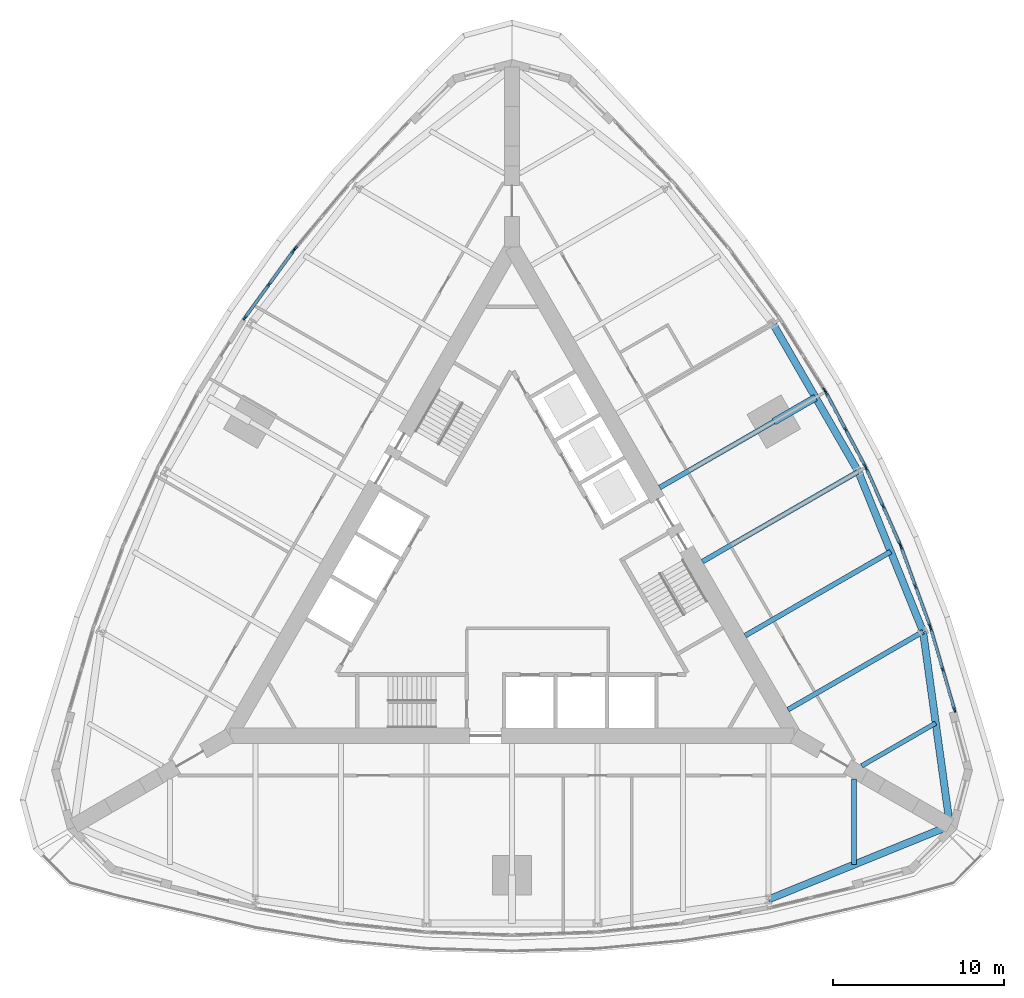
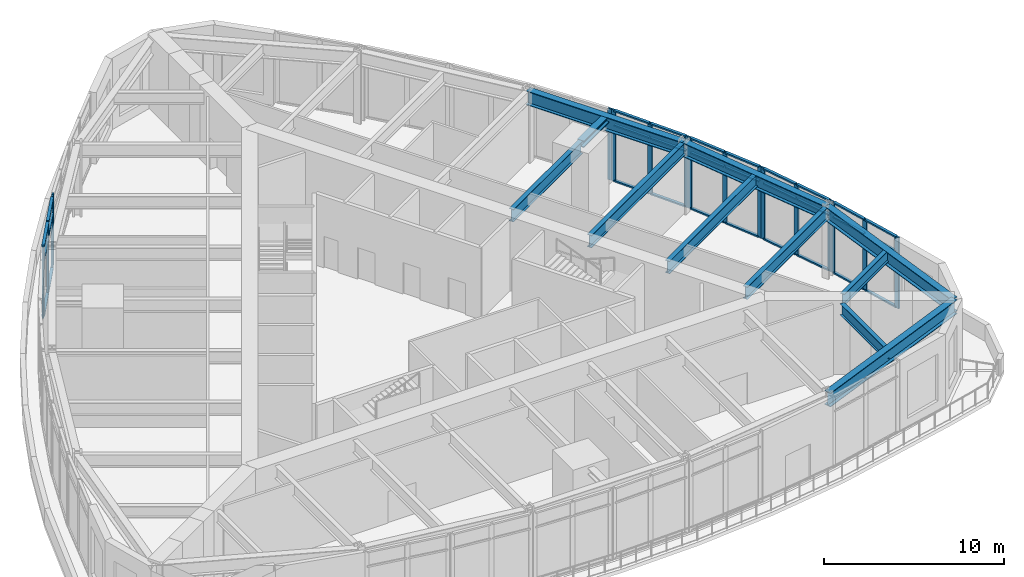
# One storey, part 4 of 14: 47 members, 11 beams, 7 elements without a shape of their own.
"""IFC4 building model written with IfcOpenShell, lengths in metres."""

from ifc_helpers import new_model, si_unit, direction, frame, origin, origin_2d, place, context, subcontext, project, spatial, rectangle, i_section, extrude, material, material_profile, profile_set, type_object, element, aggregate, save


model = new_model("IFC4")

# Units and contexts
model_context = context("Model", 3, precision=1e-05, world=origin(), true_north=direction((0.0, 1.0)))
body_context = subcontext(model_context, "Body", "Model", "MODEL_VIEW")
ifc_project = project(units=[si_unit("LENGTHUNIT", "METRE"), si_unit("AREAUNIT", "SQUARE_METRE"), si_unit("VOLUMEUNIT", "CUBIC_METRE"), si_unit("PLANEANGLEUNIT", "RADIAN"), si_unit("MASSUNIT", "GRAM", prefix="KILO")], contexts=[model_context])

# Site, building, storey
site_placement = place(None, origin())
site = spatial("IfcSite", under=ifc_project, at=site_placement, CompositionType="ELEMENT")
building_placement = place(site_placement, origin())
building = spatial("IfcBuilding", under=site, at=building_placement, Name="Trikona Tower", CompositionType="ELEMENT")
storey_placement = place(building_placement, frame((0.0, 0.0, 109.699951171875)))
storey = spatial("IfcBuildingStorey", under=building, at=storey_placement, Name="L28", CompositionType="ELEMENT", Elevation=109.699951171875)

# Curtain wall, members
ifc_material_1 = material(Name="Aluminium curtain wall system", Category="aluminium")
curtain_wall_type = type_object("IfcCurtainWallType", Name="Curtain wall SL", PredefinedType="NOTDEFINED", material=ifc_material_1)
curtain_wall_1_placement = place(storey_placement, origin())
curtain_wall_1 = element("IfcCurtainWall", 1, at=curtain_wall_1_placement, inside=storey, type_object=curtain_wall_type, Name="Curtain wall SL L28", PredefinedType="NOTDEFINED")
ifc_material_2 = material(Name="Aluminium mullion, pale anodised", Category="aluminium")
ifc_material_profile_1 = material_profile(ifc_material_2, rectangle(XDim=0.10009765625, YDim=0.300048828125, at=origin_2d()), Name="MUL-SL")
ifc_profile_set_1 = profile_set([ifc_material_profile_1], Name="Aluminium mullion, pale anodised")
member_type_1 = type_object("IfcMemberType", Name="Mullion SL 100x300", PredefinedType="MULLION", material=ifc_profile_set_1)
member_1_placement = place(storey_placement, frame((25.873291015625, -8.005126953125, 0.0), z_axis=(0.0, 0.0, 1.0), x_axis=(-0.960131547242, -0.2795485861, 0.0)))
member_1 = element("IfcMember", 2, at=member_1_placement, type_object=member_type_1, Name="CW-SL mullion 1", PredefinedType="MULLION", context=body_context, shape_type="SweptSolid", body=[
    extrude(rectangle(XDim=0.10009765625, YDim=0.300048828125, at=origin_2d()), origin(), (0.0, 0.0, 1.0), 4.8349609375),
])
member_2_placement = place(storey_placement, frame((25.1845703125, -5.6396484375, 0.0), z_axis=(0.0, 0.0, 1.0), x_axis=(-0.960131547242, -0.2795485861, 0.0)))
member_2 = element("IfcMember", 3, at=member_2_placement, type_object=member_type_1, Name="CW-SL mullion 2", PredefinedType="MULLION", context=body_context, shape_type="SweptSolid", body=[
    extrude(rectangle(XDim=0.10009765625, YDim=0.300048828125, at=origin_2d()), origin(), (0.0, 0.0, 1.0), 4.8349609375),
])
member_3_placement = place(storey_placement, frame((24.49560546875, -3.27392578125, 0.0), z_axis=(0.0, 0.0, 1.0), x_axis=(-0.960131547242, -0.2795485861, 0.0)))
member_3 = element("IfcMember", 4, at=member_3_placement, type_object=member_type_1, Name="CW-SL mullion 3", PredefinedType="MULLION", context=body_context, shape_type="SweptSolid", body=[
    extrude(rectangle(XDim=0.10009765625, YDim=0.300048828125, at=origin_2d()), origin(), (0.0, 0.0, 1.0), 4.8349609375),
])

curtain_wall_2_placement = place(storey_placement, origin())
curtain_wall_2 = element("IfcCurtainWall", 5, at=curtain_wall_2_placement, inside=storey, type_object=curtain_wall_type, Name="Curtain wall SL L28", PredefinedType="NOTDEFINED")
member_4_placement = place(storey_placement, frame((24.42919921875, -3.0712890625, 0.0), z_axis=(0.0, 0.0, 1.0), x_axis=(-0.939256167895, -0.343216915478, 0.0)))
member_4 = element("IfcMember", 6, at=member_4_placement, type_object=member_type_1, Name="CW-SL mullion 1", PredefinedType="MULLION", context=body_context, shape_type="SweptSolid", body=[
    extrude(rectangle(XDim=0.10009765625, YDim=0.300048828125, at=origin_2d()), origin(), (0.0, 0.0, 1.0), 4.8349609375),
])
member_5_placement = place(storey_placement, frame((23.595947265625, -0.790771484375, 0.0), z_axis=(0.0, 0.0, 1.0), x_axis=(-0.939256167895, -0.343216915478, 0.0)))
member_5 = element("IfcMember", 7, at=member_5_placement, type_object=member_type_1, Name="CW-SL mullion 2", PredefinedType="MULLION", context=body_context, shape_type="SweptSolid", body=[
    extrude(rectangle(XDim=0.10009765625, YDim=0.300048828125, at=origin_2d()), origin(), (0.0, 0.0, 1.0), 4.8349609375),
])
member_6_placement = place(storey_placement, frame((22.762451171875, 1.48974609375, 0.0), z_axis=(0.0, 0.0, 1.0), x_axis=(-0.939256167895, -0.343216915478, 0.0)))
member_6 = element("IfcMember", 8, at=member_6_placement, type_object=member_type_1, Name="CW-SL mullion 3", PredefinedType="MULLION", context=body_context, shape_type="SweptSolid", body=[
    extrude(rectangle(XDim=0.10009765625, YDim=0.300048828125, at=origin_2d()), origin(), (0.0, 0.0, 1.0), 4.8349609375),
])

curtain_wall_3_placement = place(storey_placement, origin())
curtain_wall_3 = element("IfcCurtainWall", 9, at=curtain_wall_3_placement, inside=storey, type_object=curtain_wall_type, Name="Curtain wall SL L28", PredefinedType="NOTDEFINED")
member_7_placement = place(storey_placement, frame((22.6826171875, 1.687255859375, 0.0), z_axis=(0.0, 0.0, 1.0), x_axis=(-0.913504581456, -0.406828440082, 0.0)))
member_7 = element("IfcMember", 10, at=member_7_placement, type_object=member_type_1, Name="CW-SL mullion 1", PredefinedType="MULLION", context=body_context, shape_type="SweptSolid", body=[
    extrude(rectangle(XDim=0.10009765625, YDim=0.300048828125, at=origin_2d()), origin(), (0.0, 0.0, 1.0), 4.8349609375),
])
member_8_placement = place(storey_placement, frame((21.70458984375, 3.883056640625, 0.0), z_axis=(0.0, 0.0, 1.0), x_axis=(-0.913504581456, -0.406828440082, 0.0)))
member_8 = element("IfcMember", 11, at=member_8_placement, type_object=member_type_1, Name="CW-SL mullion 2", PredefinedType="MULLION", context=body_context, shape_type="SweptSolid", body=[
    extrude(rectangle(XDim=0.10009765625, YDim=0.300048828125, at=origin_2d()), origin(), (0.0, 0.0, 1.0), 4.8349609375),
])
member_9_placement = place(storey_placement, frame((20.726806640625, 6.078857421875, 0.0), z_axis=(0.0, 0.0, 1.0), x_axis=(-0.913504581456, -0.406828440082, 0.0)))
member_9 = element("IfcMember", 12, at=member_9_placement, type_object=member_type_1, Name="CW-SL mullion 3", PredefinedType="MULLION", context=body_context, shape_type="SweptSolid", body=[
    extrude(rectangle(XDim=0.10009765625, YDim=0.300048828125, at=origin_2d()), origin(), (0.0, 0.0, 1.0), 4.8349609375),
])

curtain_wall_4_placement = place(storey_placement, origin())
curtain_wall_4 = element("IfcCurtainWall", 13, at=curtain_wall_4_placement, inside=storey, type_object=curtain_wall_type, Name="Curtain wall SL L28", PredefinedType="NOTDEFINED")
member_10_placement = place(storey_placement, frame((20.63330078125, 6.270263671875, 0.0), z_axis=(0.0, 0.0, 1.0), x_axis=(-0.882996107343, -0.469380308937, 0.0)))
member_10 = element("IfcMember", 14, at=member_10_placement, type_object=member_type_1, Name="CW-SL mullion 1", PredefinedType="MULLION", context=body_context, shape_type="SweptSolid", body=[
    extrude(rectangle(XDim=0.10009765625, YDim=0.300048828125, at=origin_2d()), origin(), (0.0, 0.0, 1.0), 4.8349609375),
])
member_11_placement = place(storey_placement, frame((19.5107421875, 8.3818359375, 0.0), z_axis=(0.0, 0.0, 1.0), x_axis=(-0.882996107343, -0.469380308937, 0.0)))
member_11 = element("IfcMember", 15, at=member_11_placement, type_object=member_type_1, Name="CW-SL mullion 2", PredefinedType="MULLION", context=body_context, shape_type="SweptSolid", body=[
    extrude(rectangle(XDim=0.10009765625, YDim=0.300048828125, at=origin_2d()), origin(), (0.0, 0.0, 1.0), 4.8349609375),
])
member_12_placement = place(storey_placement, frame((18.38818359375, 10.49365234375, 0.0), z_axis=(0.0, 0.0, 1.0), x_axis=(-0.882996107343, -0.469380308937, 0.0)))
member_12 = element("IfcMember", 16, at=member_12_placement, type_object=member_type_1, Name="CW-SL mullion 3", PredefinedType="MULLION", context=body_context, shape_type="SweptSolid", body=[
    extrude(rectangle(XDim=0.10009765625, YDim=0.300048828125, at=origin_2d()), origin(), (0.0, 0.0, 1.0), 4.8349609375),
])

# Curtain wall, member
curtain_wall_5_placement = place(storey_placement, origin())
curtain_wall_5 = element("IfcCurtainWall", 17, at=curtain_wall_5_placement, inside=storey, type_object=curtain_wall_type, Name="Curtain wall SL L28", PredefinedType="NOTDEFINED")
member_13_placement = place(storey_placement, frame((18.28173828125, 10.677978515625, 0.0), z_axis=(0.0, 0.0, 1.0), x_axis=(-0.847998304006, -0.529998940002, 0.0)))
member_13 = element("IfcMember", 18, at=member_13_placement, type_object=member_type_1, Name="CW-SL mullion 1", PredefinedType="MULLION", context=body_context, shape_type="SweptSolid", body=[
    extrude(rectangle(XDim=0.10009765625, YDim=0.300048828125, at=origin_2d()), origin(), (0.0, 0.0, 1.0), 4.8349609375),
])
aggregate(curtain_wall_5, [member_13])

curtain_wall_6_placement = place(storey_placement, origin())
curtain_wall_6 = element("IfcCurtainWall", 19, at=curtain_wall_6_placement, inside=storey, type_object=curtain_wall_type, Name="Curtain wall SL L28", PredefinedType="NOTDEFINED")
member_14_placement = place(storey_placement, frame((-12.67138671875, 18.968017578125, 0.0), z_axis=(0.0, 0.0, 1.0), x_axis=(0.766866678271, -0.641806433248, 0.0)))
member_14 = element("IfcMember", 20, at=member_14_placement, type_object=member_type_1, Name="CW-SL mullion 3", PredefinedType="MULLION", context=body_context, shape_type="SweptSolid", body=[
    extrude(rectangle(XDim=0.10009765625, YDim=0.300048828125, at=origin_2d()), origin(), (0.0, 0.0, 1.0), 4.8349609375),
])
aggregate(curtain_wall_6, [member_14])

# Curtain wall, members
curtain_wall_7_placement = place(storey_placement, origin())
curtain_wall_7 = element("IfcCurtainWall", 21, at=curtain_wall_7_placement, inside=storey, type_object=curtain_wall_type, Name="Curtain wall SL L28", PredefinedType="NOTDEFINED")
member_15_placement = place(storey_placement, frame((-12.802490234375, 18.800048828125, 0.0), z_axis=(0.0, 0.0, 1.0), x_axis=(0.809095452388, -0.587677248943, 0.0)))
member_15 = element("IfcMember", 22, at=member_15_placement, type_object=member_type_1, Name="CW-SL mullion 1", PredefinedType="MULLION", context=body_context, shape_type="SweptSolid", body=[
    extrude(rectangle(XDim=0.10009765625, YDim=0.300048828125, at=origin_2d()), origin(), (0.0, 0.0, 1.0), 4.8349609375),
])
member_16_placement = place(storey_placement, frame((-14.215087890625, 16.855224609375, 0.0), z_axis=(0.0, 0.0, 1.0), x_axis=(0.809095452388, -0.587677248943, 0.0)))
member_16 = element("IfcMember", 23, at=member_16_placement, type_object=member_type_1, Name="CW-SL mullion 2", PredefinedType="MULLION", context=body_context, shape_type="SweptSolid", body=[
    extrude(rectangle(XDim=0.10009765625, YDim=0.300048828125, at=origin_2d()), origin(), (0.0, 0.0, 1.0), 4.8349609375),
])
member_17_placement = place(storey_placement, frame((-15.627685546875, 14.910400390625, 0.0), z_axis=(0.0, 0.0, 1.0), x_axis=(0.809095452388, -0.587677248943, 0.0)))
member_17 = element("IfcMember", 24, at=member_17_placement, type_object=member_type_1, Name="CW-SL mullion 3", PredefinedType="MULLION", context=body_context, shape_type="SweptSolid", body=[
    extrude(rectangle(XDim=0.10009765625, YDim=0.300048828125, at=origin_2d()), origin(), (0.0, 0.0, 1.0), 4.8349609375),
])

# Beams
ifc_material_3 = material(Name="Steel ASTM A992 Grade 50", Category="steel")
ifc_material_profile_2 = material_profile(ifc_material_3, i_section(OverallWidth=0.419189453125, OverallDepth=0.45458984375, WebThickness=0.042236328125, FlangeThickness=0.067626953125, at=origin_2d()), Name="W14X370")
ifc_profile_set_2 = profile_set([ifc_material_profile_2], Name="Steel ASTM A992 Grade 50")
beam_type_1 = type_object("IfcBeamType", Name="Steel beam W14x370 (apex bracket)", PredefinedType="BEAM", material=ifc_profile_set_2)
beam_1_placement = place(storey_placement, frame((15.311767578125, 8.84033203125, 4.607666015625), z_axis=(0.86605005072, 0.499957307824, 0.0), x_axis=(-0.499957307824, 0.86605005072, 0.0)))
element("IfcBeam", 25, at=beam_1_placement, inside=storey, type_object=beam_type_1, Name="Cantilever bracket L29 F2", PredefinedType="BEAM", context=body_context, shape_type="SweptSolid", body=[
    extrude(i_section(OverallWidth=0.419189453125, OverallDepth=0.45458984375, WebThickness=0.042236328125, FlangeThickness=0.067626953125, at=origin_2d()), origin(), (0.0, 0.0, 1.0), 2.819580078125),
])
ifc_material_4 = material(Name="Steel ASTM A992 Grade 50", Category="steel")
ifc_material_profile_3 = material_profile(ifc_material_4, i_section(OverallWidth=0.2666015625, OverallDepth=0.76953125, WebThickness=0.015625, FlangeThickness=0.025390625, at=origin_2d()), Name="W30X132")
ifc_profile_set_3 = profile_set([ifc_material_profile_3], Name="Steel ASTM A992 Grade 50")
beam_type_2 = type_object("IfcBeamType", Name="Steel beam W30x132 (wedge)", PredefinedType="BEAM", material=ifc_profile_set_3)
beam_2_placement = place(storey_placement, frame((20.0, -12.066650390625, 4.4501953125), z_axis=(0.0, -1.0, 0.0), x_axis=(1.0, 0.0, 0.0)))
element("IfcBeam", 26, at=beam_2_placement, inside=storey, type_object=beam_type_2, Name="Floor beam L29 F1 u20", PredefinedType="BEAM", context=body_context, shape_type="SweptSolid", body=[
    extrude(i_section(OverallWidth=0.2666015625, OverallDepth=0.76953125, WebThickness=0.015625, FlangeThickness=0.025390625, at=origin_2d()), origin(), (0.0, 0.0, 1.0), 5.00048828125),
])
beam_3_placement = place(storey_placement, frame((20.449951171875, -11.287109375, 4.4501953125), z_axis=(0.866038434829, 0.49997742889, 0.0), x_axis=(-0.49997742889, 0.866038434829, 0.0)))
element("IfcBeam", 27, at=beam_3_placement, inside=storey, type_object=beam_type_2, Name="Floor beam L29 F2 u-20", PredefinedType="BEAM", context=body_context, shape_type="SweptSolid", body=[
    extrude(i_section(OverallWidth=0.2666015625, OverallDepth=0.76953125, WebThickness=0.015625, FlangeThickness=0.025390625, at=origin_2d()), origin(), (0.0, 0.0, 1.0), 5.000732421875),
])
ifc_material_5 = material(Name="Steel ASTM A992 Grade 50", Category="steel")
ifc_material_profile_4 = material_profile(ifc_material_5, i_section(OverallWidth=0.2919921875, OverallDepth=0.845703125, WebThickness=0.015380859375, FlangeThickness=0.0244140625, at=origin_2d()), Name="W33X141")
ifc_profile_set_4 = profile_set([ifc_material_profile_4], Name="Steel ASTM A992 Grade 50")
beam_type_3 = type_object("IfcBeamType", Name="Steel beam W33x141 (radial typ)", PredefinedType="BEAM", material=ifc_profile_set_4)
beam_4_placement = place(storey_placement, frame((16.1396484375, -8.002197265625, 4.412109375), z_axis=(0.866024725532, 0.500001174766, 0.0), x_axis=(-0.500001174766, 0.866024725532, 0.0)))
element("IfcBeam", 28, at=beam_4_placement, inside=storey, type_object=beam_type_3, Name="Floor beam L29 F2 u-15", PredefinedType="BEAM", context=body_context, shape_type="SweptSolid", body=[
    extrude(i_section(OverallWidth=0.2919921875, OverallDepth=0.845703125, WebThickness=0.015380859375, FlangeThickness=0.0244140625, at=origin_2d()), origin(), (0.0, 0.0, 1.0), 9.1240234375),
])
beam_5_placement = place(storey_placement, frame((13.6396484375, -3.672119140625, 4.412109375), z_axis=(0.866020046725, 0.500009278584, 0.0), x_axis=(-0.500009278584, 0.866020046725, 0.0)))
element("IfcBeam", 29, at=beam_5_placement, inside=storey, type_object=beam_type_3, Name="Floor beam L29 F2 u-10", PredefinedType="BEAM", context=body_context, shape_type="SweptSolid", body=[
    extrude(i_section(OverallWidth=0.2919921875, OverallDepth=0.845703125, WebThickness=0.015380859375, FlangeThickness=0.0244140625, at=origin_2d()), origin(), (0.0, 0.0, 1.0), 9.823974609375),
])
beam_6_placement = place(storey_placement, frame((11.1396484375, 0.657958984375, 4.412109375), z_axis=(0.866026035623, 0.499998905622, 0.0), x_axis=(-0.499998905622, 0.866026035623, 0.0)))
element("IfcBeam", 30, at=beam_6_placement, inside=storey, type_object=beam_type_3, Name="Floor beam L29 F2 u-5", PredefinedType="BEAM", context=body_context, shape_type="SweptSolid", body=[
    extrude(i_section(OverallWidth=0.2919921875, OverallDepth=0.845703125, WebThickness=0.015380859375, FlangeThickness=0.0244140625, at=origin_2d()), origin(), (0.0, 0.0, 1.0), 10.52392578125),
])
beam_7_placement = place(storey_placement, frame((8.6396484375, 4.988037109375, 4.412109375), z_axis=(0.866017246294, 0.500014128921, 0.0), x_axis=(-0.500014128921, 0.866017246294, 0.0)))
element("IfcBeam", 31, at=beam_7_placement, inside=storey, type_object=beam_type_3, Name="Floor beam L29 F2 u0", PredefinedType="BEAM", context=body_context, shape_type="SweptSolid", body=[
    extrude(i_section(OverallWidth=0.2919921875, OverallDepth=0.845703125, WebThickness=0.015380859375, FlangeThickness=0.0244140625, at=origin_2d()), origin(), (0.0, 0.0, 1.0), 7.704345703125),
])
ifc_material_6 = material(Name="Steel ASTM A992 Grade 50", Category="steel")
ifc_material_profile_5 = material_profile(ifc_material_6, i_section(OverallWidth=0.424072265625, OverallDepth=0.947509765625, WebThickness=0.02392578125, FlangeThickness=0.042724609375, at=origin_2d()), Name="W36X302")
ifc_profile_set_5 = profile_set([ifc_material_profile_5], Name="Steel ASTM A992 Grade 50")
beam_type_4 = type_object("IfcBeamType", Name="Steel beam W36x302 (spandrel)", PredefinedType="SPANDREL", material=ifc_profile_set_5)
for number, where, z_axis, x_axis, name in (
    (32, (15.0, -19.10009765625, 4.361328125), (0.926359695662, 0.376640032728, 0.0), (-0.376640032728, 0.926359695662, 0.0), "Spandrel beam L29 F1-5"),
    (33, (25.6103515625, -14.7861328125, 4.361328125), (-0.136991535842, 0.990572218017, 0.0), (-0.990572218017, -0.136991535842, 0.0), "Spandrel beam L29 F2-1"),
):
    element("IfcBeam", number, at=place(storey_placement, frame(where, z_axis=z_axis, x_axis=x_axis)), inside=storey, type_object=beam_type_4, Name=name, PredefinedType="SPANDREL", context=body_context, shape_type="SweptSolid", body=[
        extrude(i_section(OverallWidth=0.424072265625, OverallDepth=0.947509765625, WebThickness=0.02392578125, FlangeThickness=0.042724609375, at=origin_2d()), origin(), (0.0, 0.0, 1.0), 11.453857421875),
    ])
beam_8_placement = place(storey_placement, frame((24.041259765625, -3.440185546875, 4.361328125), z_axis=(-0.375106193787, 0.926981846307, 0.0), x_axis=(-0.926981846307, -0.375106193787, 0.0)))
element("IfcBeam", 34, at=beam_8_placement, inside=storey, type_object=beam_type_4, Name="Spandrel beam L29 F2-2", PredefinedType="SPANDREL", context=body_context, shape_type="SweptSolid", body=[
    extrude(i_section(OverallWidth=0.424072265625, OverallDepth=0.947509765625, WebThickness=0.02392578125, FlangeThickness=0.042724609375, at=origin_2d()), origin(), (0.0, 0.0, 1.0), 10.097412109375),
])
beam_9_placement = place(storey_placement, frame((20.253662109375, 5.919921875, 4.361328125), z_axis=(-0.500004234368, 0.866022959057, 0.0), x_axis=(-0.866022959057, -0.500004234368, 0.0)))
element("IfcBeam", 35, at=beam_9_placement, inside=storey, type_object=beam_type_4, Name="Spandrel beam L29 F2-3", PredefinedType="SPANDREL", context=body_context, shape_type="SweptSolid", body=[
    extrude(i_section(OverallWidth=0.424072265625, OverallDepth=0.947509765625, WebThickness=0.02392578125, FlangeThickness=0.042724609375, at=origin_2d()), origin(), (0.0, 0.0, 1.0), 10.0),
])

# Member
ifc_material_7 = material(Name="Aluminium transom, pale anodised", Category="aluminium")
ifc_material_profile_6 = material_profile(ifc_material_7, rectangle(XDim=0.179931640625, YDim=0.10009765625, at=origin_2d()), Name="TRN-SL")
ifc_profile_set_6 = profile_set([ifc_material_profile_6], Name="Aluminium transom, pale anodised")
member_type_2 = type_object("IfcMemberType", Name="Transom SL 100x180", PredefinedType="USERDEFINED", material=ifc_profile_set_6)
member_18_placement = place(storey_placement, frame((25.859130859375, -7.957275390625, 0.050048828125), z_axis=(-0.279464574213, 0.960156003866, 0.0), x_axis=(-0.960156003866, -0.279464574213, 0.0)))
member_18 = element("IfcMember", 36, at=member_18_placement, type_object=member_type_2, Name="CW-SL transom 1.1", ObjectType="TRANSOM", PredefinedType="USERDEFINED", context=body_context, shape_type="SweptSolid", body=[
    extrude(rectangle(XDim=0.179931640625, YDim=0.10009765625, at=origin_2d()), origin(), (0.0, 0.0, 1.0), 2.364013671875),
])

member_19_placement = place(storey_placement, frame((25.859130859375, -7.957275390625, 3.800048828125), z_axis=(-0.279464574213, 0.960156003866, 0.0), x_axis=(-0.960156003866, -0.279464574213, 0.0)))
member_19 = element("IfcMember", 37, at=member_19_placement, type_object=member_type_2, Name="CW-SL transom 1.2", ObjectType="TRANSOM", PredefinedType="USERDEFINED", context=body_context, shape_type="SweptSolid", body=[
    extrude(rectangle(XDim=0.179931640625, YDim=0.10009765625, at=origin_2d()), origin(), (0.0, 0.0, 1.0), 2.364013671875),
])

member_20_placement = place(storey_placement, frame((25.859130859375, -7.957275390625, 4.78515625), z_axis=(-0.279464574213, 0.960156003866, 0.0), x_axis=(-0.960156003866, -0.279464574213, 0.0)))
member_20 = element("IfcMember", 38, at=member_20_placement, type_object=member_type_2, Name="CW-SL transom 1.3", ObjectType="TRANSOM", PredefinedType="USERDEFINED", context=body_context, shape_type="SweptSolid", body=[
    extrude(rectangle(XDim=0.179931640625, YDim=0.10009765625, at=origin_2d()), origin(), (0.0, 0.0, 1.0), 2.364013671875),
])

member_21_placement = place(storey_placement, frame((25.17041015625, -5.591552734375, 0.050048828125), z_axis=(-0.279492288824, 0.960147936772, 0.0), x_axis=(-0.960147936772, -0.279492288824, 0.0)))
member_21 = element("IfcMember", 39, at=member_21_placement, type_object=member_type_2, Name="CW-SL transom 2.1", ObjectType="TRANSOM", PredefinedType="USERDEFINED", context=body_context, shape_type="SweptSolid", body=[
    extrude(rectangle(XDim=0.179931640625, YDim=0.10009765625, at=origin_2d()), origin(), (0.0, 0.0, 1.0), 2.36376953125),
])

member_22_placement = place(storey_placement, frame((25.17041015625, -5.591552734375, 3.800048828125), z_axis=(-0.279492288824, 0.960147936772, 0.0), x_axis=(-0.960147936772, -0.279492288824, 0.0)))
member_22 = element("IfcMember", 40, at=member_22_placement, type_object=member_type_2, Name="CW-SL transom 2.2", ObjectType="TRANSOM", PredefinedType="USERDEFINED", context=body_context, shape_type="SweptSolid", body=[
    extrude(rectangle(XDim=0.179931640625, YDim=0.10009765625, at=origin_2d()), origin(), (0.0, 0.0, 1.0), 2.36376953125),
])

member_23_placement = place(storey_placement, frame((25.17041015625, -5.591552734375, 4.78515625), z_axis=(-0.279492288824, 0.960147936772, 0.0), x_axis=(-0.960147936772, -0.279492288824, 0.0)))
member_23 = element("IfcMember", 41, at=member_23_placement, type_object=member_type_2, Name="CW-SL transom 2.3", ObjectType="TRANSOM", PredefinedType="USERDEFINED", context=body_context, shape_type="SweptSolid", body=[
    extrude(rectangle(XDim=0.179931640625, YDim=0.10009765625, at=origin_2d()), origin(), (0.0, 0.0, 1.0), 2.36376953125),
])

aggregate(curtain_wall_1, [member_1, member_2, member_3, member_18, member_19, member_20, member_21, member_22, member_23])

member_24_placement = place(storey_placement, frame((24.412109375, -3.0244140625, 0.050048828125), z_axis=(-0.343216080807, 0.939256472895, 0.0), x_axis=(-0.939256472895, -0.343216080807, 0.0)))
member_24 = element("IfcMember", 42, at=member_24_placement, type_object=member_type_2, Name="CW-SL transom 1.1", ObjectType="TRANSOM", PredefinedType="USERDEFINED", context=body_context, shape_type="SweptSolid", body=[
    extrude(rectangle(XDim=0.179931640625, YDim=0.10009765625, at=origin_2d()), origin(), (0.0, 0.0, 1.0), 2.328125),
])

member_25_placement = place(storey_placement, frame((24.412109375, -3.0244140625, 3.800048828125), z_axis=(-0.343216080807, 0.939256472895, 0.0), x_axis=(-0.939256472895, -0.343216080807, 0.0)))
member_25 = element("IfcMember", 43, at=member_25_placement, type_object=member_type_2, Name="CW-SL transom 1.2", ObjectType="TRANSOM", PredefinedType="USERDEFINED", context=body_context, shape_type="SweptSolid", body=[
    extrude(rectangle(XDim=0.179931640625, YDim=0.10009765625, at=origin_2d()), origin(), (0.0, 0.0, 1.0), 2.328125),
])

member_26_placement = place(storey_placement, frame((24.412109375, -3.0244140625, 4.78515625), z_axis=(-0.343216080807, 0.939256472895, 0.0), x_axis=(-0.939256472895, -0.343216080807, 0.0)))
member_26 = element("IfcMember", 44, at=member_26_placement, type_object=member_type_2, Name="CW-SL transom 1.3", ObjectType="TRANSOM", PredefinedType="USERDEFINED", context=body_context, shape_type="SweptSolid", body=[
    extrude(rectangle(XDim=0.179931640625, YDim=0.10009765625, at=origin_2d()), origin(), (0.0, 0.0, 1.0), 2.328125),
])

member_27_placement = place(storey_placement, frame((23.578857421875, -0.743896484375, 0.050048828125), z_axis=(-0.343216080807, 0.939256472895, 0.0), x_axis=(-0.939256472895, -0.343216080807, 0.0)))
member_27 = element("IfcMember", 45, at=member_27_placement, type_object=member_type_2, Name="CW-SL transom 2.1", ObjectType="TRANSOM", PredefinedType="USERDEFINED", context=body_context, shape_type="SweptSolid", body=[
    extrude(rectangle(XDim=0.179931640625, YDim=0.10009765625, at=origin_2d()), origin(), (0.0, 0.0, 1.0), 2.328125),
])

member_28_placement = place(storey_placement, frame((23.578857421875, -0.743896484375, 3.800048828125), z_axis=(-0.343216080807, 0.939256472895, 0.0), x_axis=(-0.939256472895, -0.343216080807, 0.0)))
member_28 = element("IfcMember", 46, at=member_28_placement, type_object=member_type_2, Name="CW-SL transom 2.2", ObjectType="TRANSOM", PredefinedType="USERDEFINED", context=body_context, shape_type="SweptSolid", body=[
    extrude(rectangle(XDim=0.179931640625, YDim=0.10009765625, at=origin_2d()), origin(), (0.0, 0.0, 1.0), 2.328125),
])

member_29_placement = place(storey_placement, frame((23.578857421875, -0.743896484375, 4.78515625), z_axis=(-0.343216080807, 0.939256472895, 0.0), x_axis=(-0.939256472895, -0.343216080807, 0.0)))
member_29 = element("IfcMember", 47, at=member_29_placement, type_object=member_type_2, Name="CW-SL transom 2.3", ObjectType="TRANSOM", PredefinedType="USERDEFINED", context=body_context, shape_type="SweptSolid", body=[
    extrude(rectangle(XDim=0.179931640625, YDim=0.10009765625, at=origin_2d()), origin(), (0.0, 0.0, 1.0), 2.328125),
])

aggregate(curtain_wall_2, [member_4, member_5, member_6, member_24, member_25, member_26, member_27, member_28, member_29])

member_30_placement = place(storey_placement, frame((22.662109375, 1.73291015625, 0.050048828125), z_axis=(-0.406748029, 0.913540388218, 0.0), x_axis=(-0.913540388218, -0.406748029, 0.0)))
member_30 = element("IfcMember", 48, at=member_30_placement, type_object=member_type_2, Name="CW-SL transom 1.1", ObjectType="TRANSOM", PredefinedType="USERDEFINED", context=body_context, shape_type="SweptSolid", body=[
    extrude(rectangle(XDim=0.179931640625, YDim=0.10009765625, at=origin_2d()), origin(), (0.0, 0.0, 1.0), 2.3037109375),
])

member_31_placement = place(storey_placement, frame((22.662109375, 1.73291015625, 3.800048828125), z_axis=(-0.406748029, 0.913540388218, 0.0), x_axis=(-0.913540388218, -0.406748029, 0.0)))
member_31 = element("IfcMember", 49, at=member_31_placement, type_object=member_type_2, Name="CW-SL transom 1.2", ObjectType="TRANSOM", PredefinedType="USERDEFINED", context=body_context, shape_type="SweptSolid", body=[
    extrude(rectangle(XDim=0.179931640625, YDim=0.10009765625, at=origin_2d()), origin(), (0.0, 0.0, 1.0), 2.3037109375),
])

member_32_placement = place(storey_placement, frame((22.662109375, 1.73291015625, 4.78515625), z_axis=(-0.406748029, 0.913540388218, 0.0), x_axis=(-0.913540388218, -0.406748029, 0.0)))
member_32 = element("IfcMember", 50, at=member_32_placement, type_object=member_type_2, Name="CW-SL transom 1.3", ObjectType="TRANSOM", PredefinedType="USERDEFINED", context=body_context, shape_type="SweptSolid", body=[
    extrude(rectangle(XDim=0.179931640625, YDim=0.10009765625, at=origin_2d()), origin(), (0.0, 0.0, 1.0), 2.3037109375),
])

member_33_placement = place(storey_placement, frame((21.684326171875, 3.9287109375, 0.050048828125), z_axis=(-0.406836468832, 0.913501005817, 0.0), x_axis=(-0.913501005817, -0.406836468832, 0.0)))
member_33 = element("IfcMember", 51, at=member_33_placement, type_object=member_type_2, Name="CW-SL transom 2.1", ObjectType="TRANSOM", PredefinedType="USERDEFINED", context=body_context, shape_type="SweptSolid", body=[
    extrude(rectangle(XDim=0.179931640625, YDim=0.10009765625, at=origin_2d()), origin(), (0.0, 0.0, 1.0), 2.3037109375),
])

member_34_placement = place(storey_placement, frame((21.684326171875, 3.9287109375, 3.800048828125), z_axis=(-0.406836468832, 0.913501005817, 0.0), x_axis=(-0.913501005817, -0.406836468832, 0.0)))
member_34 = element("IfcMember", 52, at=member_34_placement, type_object=member_type_2, Name="CW-SL transom 2.2", ObjectType="TRANSOM", PredefinedType="USERDEFINED", context=body_context, shape_type="SweptSolid", body=[
    extrude(rectangle(XDim=0.179931640625, YDim=0.10009765625, at=origin_2d()), origin(), (0.0, 0.0, 1.0), 2.3037109375),
])

member_35_placement = place(storey_placement, frame((21.684326171875, 3.9287109375, 4.78515625), z_axis=(-0.406836468832, 0.913501005817, 0.0), x_axis=(-0.913501005817, -0.406836468832, 0.0)))
member_35 = element("IfcMember", 53, at=member_35_placement, type_object=member_type_2, Name="CW-SL transom 2.3", ObjectType="TRANSOM", PredefinedType="USERDEFINED", context=body_context, shape_type="SweptSolid", body=[
    extrude(rectangle(XDim=0.179931640625, YDim=0.10009765625, at=origin_2d()), origin(), (0.0, 0.0, 1.0), 2.3037109375),
])

aggregate(curtain_wall_3, [member_7, member_8, member_9, member_30, member_31, member_32, member_33, member_34, member_35])

member_36_placement = place(storey_placement, frame((20.60986328125, 6.314208984375, 0.050048828125), z_axis=(-0.469404471075, 0.882983262885, 0.0), x_axis=(-0.882983262885, -0.469404471075, 0.0)))
member_36 = element("IfcMember", 54, at=member_36_placement, type_object=member_type_2, Name="CW-SL transom 1.1", ObjectType="TRANSOM", PredefinedType="USERDEFINED", context=body_context, shape_type="SweptSolid", body=[
    extrude(rectangle(XDim=0.179931640625, YDim=0.10009765625, at=origin_2d()), origin(), (0.0, 0.0, 1.0), 2.29150390625),
])

member_37_placement = place(storey_placement, frame((20.60986328125, 6.314208984375, 3.800048828125), z_axis=(-0.469404471075, 0.882983262885, 0.0), x_axis=(-0.882983262885, -0.469404471075, 0.0)))
member_37 = element("IfcMember", 55, at=member_37_placement, type_object=member_type_2, Name="CW-SL transom 1.2", ObjectType="TRANSOM", PredefinedType="USERDEFINED", context=body_context, shape_type="SweptSolid", body=[
    extrude(rectangle(XDim=0.179931640625, YDim=0.10009765625, at=origin_2d()), origin(), (0.0, 0.0, 1.0), 2.29150390625),
])

member_38_placement = place(storey_placement, frame((20.60986328125, 6.314208984375, 4.78515625), z_axis=(-0.469404471075, 0.882983262885, 0.0), x_axis=(-0.882983262885, -0.469404471075, 0.0)))
member_38 = element("IfcMember", 56, at=member_38_placement, type_object=member_type_2, Name="CW-SL transom 1.3", ObjectType="TRANSOM", PredefinedType="USERDEFINED", context=body_context, shape_type="SweptSolid", body=[
    extrude(rectangle(XDim=0.179931640625, YDim=0.10009765625, at=origin_2d()), origin(), (0.0, 0.0, 1.0), 2.29150390625),
])

member_39_placement = place(storey_placement, frame((19.4873046875, 8.426025390625, 0.050048828125), z_axis=(-0.469404471075, 0.882983262885, 0.0), x_axis=(-0.882983262885, -0.469404471075, 0.0)))
member_39 = element("IfcMember", 57, at=member_39_placement, type_object=member_type_2, Name="CW-SL transom 2.1", ObjectType="TRANSOM", PredefinedType="USERDEFINED", context=body_context, shape_type="SweptSolid", body=[
    extrude(rectangle(XDim=0.179931640625, YDim=0.10009765625, at=origin_2d()), origin(), (0.0, 0.0, 1.0), 2.29150390625),
])

member_40_placement = place(storey_placement, frame((19.4873046875, 8.426025390625, 3.800048828125), z_axis=(-0.469404471075, 0.882983262885, 0.0), x_axis=(-0.882983262885, -0.469404471075, 0.0)))
member_40 = element("IfcMember", 58, at=member_40_placement, type_object=member_type_2, Name="CW-SL transom 2.2", ObjectType="TRANSOM", PredefinedType="USERDEFINED", context=body_context, shape_type="SweptSolid", body=[
    extrude(rectangle(XDim=0.179931640625, YDim=0.10009765625, at=origin_2d()), origin(), (0.0, 0.0, 1.0), 2.29150390625),
])

member_41_placement = place(storey_placement, frame((19.4873046875, 8.426025390625, 4.78515625), z_axis=(-0.469404471075, 0.882983262885, 0.0), x_axis=(-0.882983262885, -0.469404471075, 0.0)))
member_41 = element("IfcMember", 59, at=member_41_placement, type_object=member_type_2, Name="CW-SL transom 2.3", ObjectType="TRANSOM", PredefinedType="USERDEFINED", context=body_context, shape_type="SweptSolid", body=[
    extrude(rectangle(XDim=0.179931640625, YDim=0.10009765625, at=origin_2d()), origin(), (0.0, 0.0, 1.0), 2.29150390625),
])

aggregate(curtain_wall_4, [member_10, member_11, member_12, member_36, member_37, member_38, member_39, member_40, member_41])

member_42_placement = place(storey_placement, frame((-12.831787109375, 18.759765625, 0.050048828125), z_axis=(-0.587705335322, -0.809075051422, 0.0), x_axis=(0.809075051422, -0.587705335322, 0.0)))
member_42 = element("IfcMember", 60, at=member_42_placement, type_object=member_type_2, Name="CW-SL transom 1.1", ObjectType="TRANSOM", PredefinedType="USERDEFINED", context=body_context, shape_type="SweptSolid", body=[
    extrude(rectangle(XDim=0.179931640625, YDim=0.10009765625, at=origin_2d()), origin(), (0.0, 0.0, 1.0), 2.303955078125),
])

member_43_placement = place(storey_placement, frame((-12.831787109375, 18.759765625, 3.800048828125), z_axis=(-0.587705335322, -0.809075051422, 0.0), x_axis=(0.809075051422, -0.587705335322, 0.0)))
member_43 = element("IfcMember", 61, at=member_43_placement, type_object=member_type_2, Name="CW-SL transom 1.2", ObjectType="TRANSOM", PredefinedType="USERDEFINED", context=body_context, shape_type="SweptSolid", body=[
    extrude(rectangle(XDim=0.179931640625, YDim=0.10009765625, at=origin_2d()), origin(), (0.0, 0.0, 1.0), 2.303955078125),
])

member_44_placement = place(storey_placement, frame((-12.831787109375, 18.759765625, 4.78515625), z_axis=(-0.587705335322, -0.809075051422, 0.0), x_axis=(0.809075051422, -0.587705335322, 0.0)))
member_44 = element("IfcMember", 62, at=member_44_placement, type_object=member_type_2, Name="CW-SL transom 1.3", ObjectType="TRANSOM", PredefinedType="USERDEFINED", context=body_context, shape_type="SweptSolid", body=[
    extrude(rectangle(XDim=0.179931640625, YDim=0.10009765625, at=origin_2d()), origin(), (0.0, 0.0, 1.0), 2.303955078125),
])

member_45_placement = place(storey_placement, frame((-14.244384765625, 16.81494140625, 0.050048828125), z_axis=(-0.587705335322, -0.809075051422, 0.0), x_axis=(0.809075051422, -0.587705335322, 0.0)))
member_45 = element("IfcMember", 63, at=member_45_placement, type_object=member_type_2, Name="CW-SL transom 2.1", ObjectType="TRANSOM", PredefinedType="USERDEFINED", context=body_context, shape_type="SweptSolid", body=[
    extrude(rectangle(XDim=0.179931640625, YDim=0.10009765625, at=origin_2d()), origin(), (0.0, 0.0, 1.0), 2.303955078125),
])

member_46_placement = place(storey_placement, frame((-14.244384765625, 16.81494140625, 3.800048828125), z_axis=(-0.587705335322, -0.809075051422, 0.0), x_axis=(0.809075051422, -0.587705335322, 0.0)))
member_46 = element("IfcMember", 64, at=member_46_placement, type_object=member_type_2, Name="CW-SL transom 2.2", ObjectType="TRANSOM", PredefinedType="USERDEFINED", context=body_context, shape_type="SweptSolid", body=[
    extrude(rectangle(XDim=0.179931640625, YDim=0.10009765625, at=origin_2d()), origin(), (0.0, 0.0, 1.0), 2.303955078125),
])

member_47_placement = place(storey_placement, frame((-14.244384765625, 16.81494140625, 4.78515625), z_axis=(-0.587705335322, -0.809075051422, 0.0), x_axis=(0.809075051422, -0.587705335322, 0.0)))
member_47 = element("IfcMember", 65, at=member_47_placement, type_object=member_type_2, Name="CW-SL transom 2.3", ObjectType="TRANSOM", PredefinedType="USERDEFINED", context=body_context, shape_type="SweptSolid", body=[
    extrude(rectangle(XDim=0.179931640625, YDim=0.10009765625, at=origin_2d()), origin(), (0.0, 0.0, 1.0), 2.303955078125),
])

aggregate(curtain_wall_7, [member_15, member_16, member_17, member_42, member_43, member_44, member_45, member_46, member_47])

save(model, "model.ifc")
